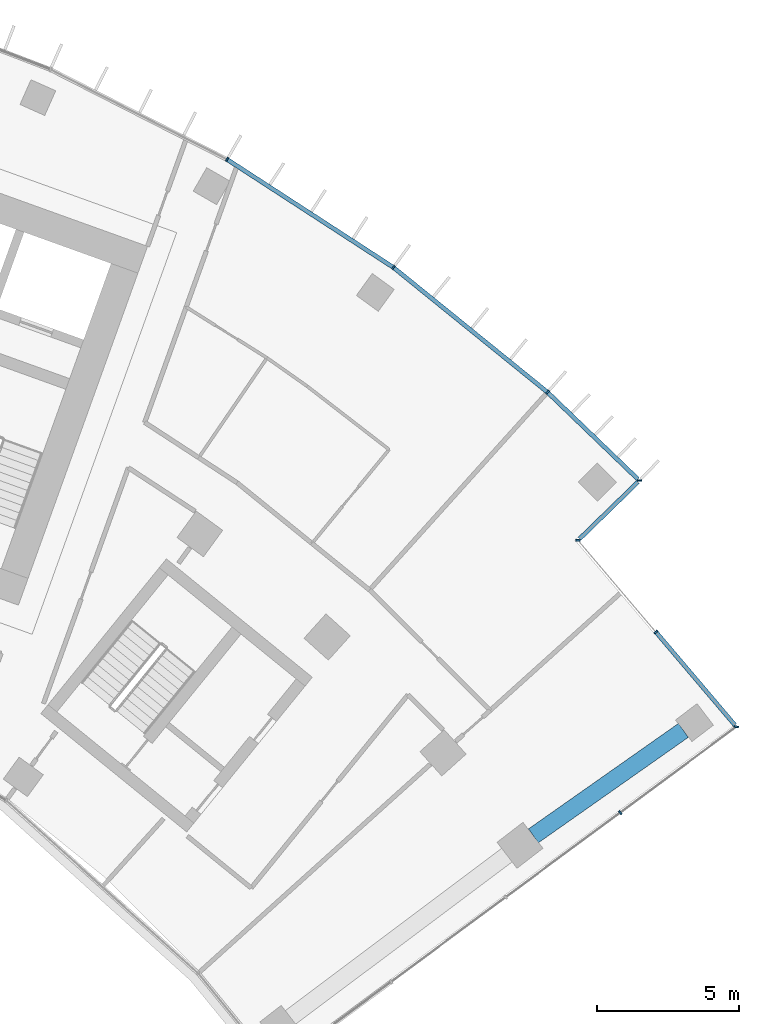
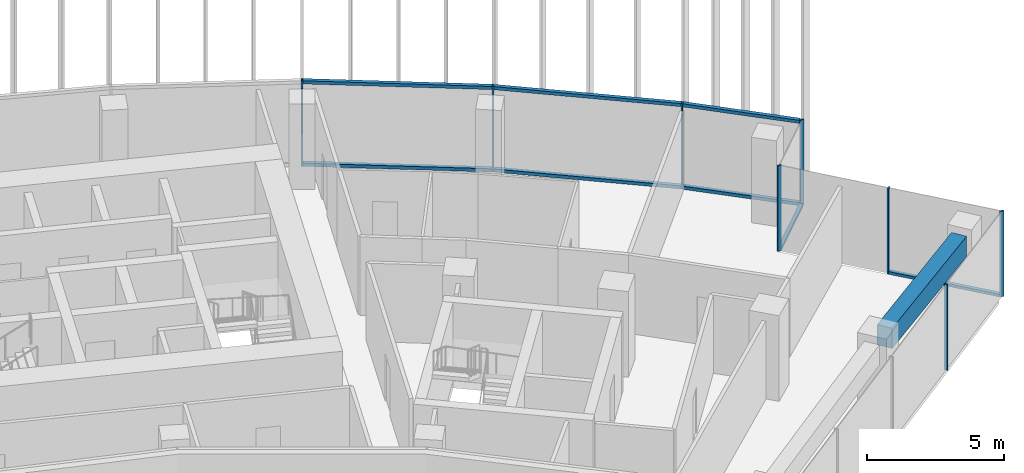
# One storey, part 9 of 19: 16 members, 1 beam, 4 elements without a shape of their own.
"""IFC4 building model written with IfcOpenShell, lengths in metres."""

import ifcopenshell
import ifcopenshell.guid

model = None  # the IFC model being written
_history = None  # IfcOwnerHistory: only IFC2X3 demands one
_inside = {}  # id of a spatial element -> (the spatial element, [elements in it])
_under = {}  # id of a project, library or spatial element -> (it, [spatial elements below it])
_declared = {}  # id of a project -> (the project, [libraries it declares])
_typed = {}  # id of a type object -> (the type object, [elements of that type])
_made_of = {}  # id of a material, layer set ... -> (it, [elements and type objects made of it])


def new_model(schema):
    """Start an empty IFC model of exactly this schema.

    Asked for "IFC4X3", IfcOpenShell would pick the latest addendum, in which some entities
    have other attributes; the version numbers below select the first issue.
    IFC2X3 requires an IfcOwnerHistory on every rooted entity: one is made here for all.
    """
    global model, _history
    if schema == "IFC4X3":
        model = ifcopenshell.file(schema_version=(4, 3, 0, 0))
    else:
        model = ifcopenshell.file(schema=schema)
    _inside.clear()
    _under.clear()
    _declared.clear()
    _typed.clear()
    _made_of.clear()
    _history = None
    if model.schema == "IFC2X3":
        org = make("IfcOrganization", Name="unknown")
        user = make(
            "IfcPersonAndOrganization",
            ThePerson=make("IfcPerson", FamilyName="unknown"),
            TheOrganization=org,
        )
        app = make(
            "IfcApplication",
            ApplicationDeveloper=org,
            Version="unknown",
            ApplicationFullName="unknown",
            ApplicationIdentifier="unknown",
        )
        _history = make(
            "IfcOwnerHistory",
            OwningUser=user,
            OwningApplication=app,
            ChangeAction="ADDED",
            CreationDate=0,
        )
    return model


def make(cls, **values):
    """One entity of the class cls with the attributes given. An attribute that is None is left unset."""
    return model.create_entity(
        cls, **{name: value for name, value in values.items() if value is not None}
    )


def rooted(cls, **values):
    """An entity with a GlobalId (a new one), such as an element, a storey or a relation."""
    return make(cls, GlobalId=ifcopenshell.guid.new(), OwnerHistory=_history, **values)


def si_unit(unit_type, name, prefix=None):
    """IfcSIUnit, for example si_unit("LENGTHUNIT", "METRE", prefix="MILLI")."""
    return make("IfcSIUnit", UnitType=unit_type, Prefix=prefix, Name=name)


def assignment(units):
    """IfcUnitAssignment: the units of a project."""
    return None if units is None else make("IfcUnitAssignment", Units=units)


def point(xyz):
    """IfcCartesianPoint."""
    return None if xyz is None else make("IfcCartesianPoint", Coordinates=xyz)


def direction(xyz):
    """IfcDirection."""
    return None if xyz is None else make("IfcDirection", DirectionRatios=xyz)


def frame(location, z_axis=None, x_axis=None):
    """IfcAxis2Placement3D, a coordinate frame: its origin and axes. An axis left out is left unset."""
    return make(
        "IfcAxis2Placement3D",
        Location=point(location),
        Axis=direction(z_axis),
        RefDirection=direction(x_axis),
    )


def frame_2d(location, x_axis=None):
    """IfcAxis2Placement2D, a coordinate frame in the plane: its origin and x axis."""
    return make(
        "IfcAxis2Placement2D", Location=point(location), RefDirection=direction(x_axis)
    )


def origin():
    """The frame at (0, 0, 0) with its axes left unset."""
    return frame((0.0, 0.0, 0.0))


def origin_2d():
    """The frame at (0, 0) in the plane with its x axis left unset."""
    return frame_2d((0.0, 0.0))


def place(relative_to, where):
    """IfcLocalPlacement: puts the frame where relative to a parent placement (None: the world)."""
    return make(
        "IfcLocalPlacement", PlacementRelTo=relative_to, RelativePlacement=where
    )


def context(
    kind, dimensions, precision=None, world=None, true_north=None, identifier=None
):
    """IfcGeometricRepresentationContext, for example the 3D "Model" context."""
    return make(
        "IfcGeometricRepresentationContext",
        ContextIdentifier=identifier,
        ContextType=kind,
        CoordinateSpaceDimension=dimensions,
        Precision=precision,
        WorldCoordinateSystem=world,
        TrueNorth=true_north,
    )


def subcontext(parent, identifier, kind, view, scale=None):
    """IfcGeometricRepresentationSubContext, for example "Body" below "Model"."""
    return make(
        "IfcGeometricRepresentationSubContext",
        ContextIdentifier=identifier,
        ContextType=kind,
        ParentContext=parent,
        TargetScale=scale,
        TargetView=view,
    )


def project(units=None, contexts=None):
    """IfcProject with its units and contexts."""
    return rooted(
        "IfcProject",
        Name="project",
        RepresentationContexts=contexts,
        UnitsInContext=assignment(units),
    )


def spatial(cls, under=None, at=None, **own):
    """A site, building, storey or space (cls), placed at a placement, below another one or the project."""
    s = rooted(cls, ObjectPlacement=at, **own)
    if under is not None:
        _under.setdefault(under.id(), (under, []))[1].append(s)
    return s


def profile(cls, at=None, kind="AREA", **sizes):
    """A parametric profile (cls). Its sizes go by their IFC names, for example OverallWidth=200.0."""
    return make(cls, ProfileType=kind, Position=at, **sizes)


def rectangle(**sizes):
    """IfcRectangleProfileDef."""
    return profile("IfcRectangleProfileDef", **sizes)


def extrude(swept, where, along, depth):
    """IfcExtrudedAreaSolid: the profile swept, set in the frame where, extruded along a direction by depth."""
    return make(
        "IfcExtrudedAreaSolid",
        SweptArea=swept,
        Position=where,
        ExtrudedDirection=direction(along),
        Depth=depth,
    )


def shape(context_of_items, identifier, shape_type, items):
    """IfcShapeRepresentation: the items that make up one representation, for example the "Body"."""
    return make(
        "IfcShapeRepresentation",
        ContextOfItems=context_of_items,
        RepresentationIdentifier=identifier,
        RepresentationType=shape_type,
        Items=items,
    )


def material(Name=None, Category=None):
    """IfcMaterial."""
    return make("IfcMaterial", Name=Name, Category=Category)


def layer(
    of_material, thickness, ventilated=None, Name=None, Category=None, Priority=None
):
    """IfcMaterialLayer: one layer of a wall or slab, of a material (None: an air gap)."""
    return make(
        "IfcMaterialLayer",
        Material=of_material,
        LayerThickness=thickness,
        IsVentilated=ventilated,
        Name=Name,
        Category=Category,
        Priority=Priority,
    )


def layer_set(layers, Name=None):
    """IfcMaterialLayerSet."""
    return make("IfcMaterialLayerSet", MaterialLayers=layers, LayerSetName=Name)


def material_profile(
    of_material, cross_section, Name=None, Category=None, Priority=None
):
    """IfcMaterialProfile: a cross section and its material."""
    return make(
        "IfcMaterialProfile",
        Name=Name,
        Material=of_material,
        Profile=cross_section,
        Priority=Priority,
        Category=Category,
    )


def profile_set(profiles, Name=None, composite=None):
    """IfcMaterialProfileSet."""
    return make(
        "IfcMaterialProfileSet",
        Name=Name,
        MaterialProfiles=profiles,
        CompositeProfile=composite,
    )


def made_of(thing, what):
    """Note that an element or type object is made of a material, layer set ...; save() writes the relation."""
    if what is not None:
        _made_of.setdefault(what.id(), (what, []))[1].append(thing)
    return thing


def type_object(cls, material=None, **own):
    """A type object (cls), such as IfcWallType, which elements share."""
    return made_of(rooted(cls, **own), material)


def element(
    cls,
    number,
    at=None,
    inside=None,
    cuts=None,
    type_object=None,
    material=None,
    context=None,
    identifier="Body",
    shape_type=None,
    held_by="IfcProductDefinitionShape",
    body=None,
    shapes=None,
    **own,
):
    """One element of the class cls, such as IfcWall. Its Tag is "e" and its number.

    at: its placement. inside: the storey or other place that contains it. cuts: it is an
    opening in that element (IfcRelVoidsElement). A single representation is given by context,
    identifier, shape_type and body (its items); several are given by shapes. held_by: the class
    of the entity that holds the representations. save() writes the other relations.
    """
    e = rooted(cls, Tag="e%d" % number, ObjectPlacement=at, **own)
    if body is not None:
        shapes = [shape(context, identifier, shape_type, body)]
    if shapes is not None:
        e.Representation = make(held_by, Representations=shapes)
    if inside is not None:
        _inside.setdefault(inside.id(), (inside, []))[1].append(e)
    if cuts is not None:
        rooted(
            "IfcRelVoidsElement", RelatingBuildingElement=cuts, RelatedOpeningElement=e
        )
    if type_object is not None:
        _typed.setdefault(type_object.id(), (type_object, []))[1].append(e)
    return made_of(e, material)


def aggregate(whole, parts):
    """IfcRelAggregates: a whole, such as a stair, and the parts it consists of."""
    return rooted("IfcRelAggregates", RelatingObject=whole, RelatedObjects=parts)


def save(model, path):
    """Write the relations noted so far, then the file.

    IfcRelAggregates (storeys below a building ...), IfcRelContainedInSpatialStructure (elements
    in a storey), IfcRelDefinesByType, IfcRelAssociatesMaterial and IfcRelDeclares: one each for
    every whole, place, type object, material and project.
    """
    for whole, parts in _under.values():
        aggregate(whole, parts)
    for where, things in _inside.values():
        rooted(
            "IfcRelContainedInSpatialStructure",
            RelatedElements=things,
            RelatingStructure=where,
        )
    for kind, things in _typed.values():
        rooted("IfcRelDefinesByType", RelatedObjects=things, RelatingType=kind)
    for what, things in _made_of.values():
        rooted("IfcRelAssociatesMaterial", RelatedObjects=things, RelatingMaterial=what)
    for by, libraries in _declared.values():
        rooted("IfcRelDeclares", RelatingContext=by, RelatedDefinitions=libraries)
    model.write(path)


model = new_model("IFC4")

# Units and contexts
model_context = context("Model", 3, precision=1e-05, world=origin(), true_north=direction((0.0, 1.0)))
body_context = subcontext(model_context, "Body", "Model", "MODEL_VIEW")
ifc_project = project(units=[si_unit("LENGTHUNIT", "METRE"), si_unit("AREAUNIT", "SQUARE_METRE"), si_unit("VOLUMEUNIT", "CUBIC_METRE"), si_unit("PLANEANGLEUNIT", "RADIAN"), si_unit("MASSUNIT", "GRAM", prefix="KILO")], contexts=[model_context])

# Site, building, storey
site_placement = place(None, origin())
site = spatial("IfcSite", under=ifc_project, at=site_placement, CompositionType="ELEMENT")
building_placement = place(site_placement, origin())
building = spatial("IfcBuilding", under=site, at=building_placement, Name="Stone Belt Terrace Tower", CompositionType="ELEMENT")
storey_placement = place(building_placement, frame((0.0, 0.0, 235.199951171875)))
storey = spatial("IfcBuildingStorey", under=building, at=storey_placement, Name="L57", CompositionType="ELEMENT", Elevation=235.199951171875)

# Curtain wall, members
ifc_material_1 = material(Name="Aluminium 6063-T6 anodised frame", Category="aluminium")
ifc_layer_1 = layer(ifc_material_1, 0.14990234375)
ifc_layer_set_1 = layer_set([ifc_layer_1], Name="CW-A unitised convex-face curtain wall")
curtain_wall_type_1 = type_object("IfcCurtainWallType", Name="CW-A unitised convex-face curtain wall", PredefinedType="NOTDEFINED", material=ifc_layer_set_1)
curtain_wall_1_placement = place(storey_placement, origin())
curtain_wall_1 = element("IfcCurtainWall", 1, at=curtain_wall_1_placement, inside=storey, type_object=curtain_wall_type_1, Name="CW-A convex face L57", PredefinedType="NOTDEFINED")
ifc_material_profile_1 = material_profile(ifc_material_1, rectangle(XDim=0.14990234375, YDim=0.06005859375, at=origin_2d()), Name="Aluminium 6063-T6 60x150")
ifc_profile_set_1 = profile_set([ifc_material_profile_1], Name="Aluminium 6063-T6 anodised frame")
member_type_1 = type_object("IfcMemberType", Name="CW-A mullion 60 x 150", PredefinedType="MULLION", material=ifc_profile_set_1)
member_1_placement = place(storey_placement, frame((47.775390625, 46.369140625, 0.0), z_axis=(0.0, 0.0, 1.0), x_axis=(-0.999996264646, -0.002733257028, 0.0)))
member_1 = element("IfcMember", 2, at=member_1_placement, type_object=member_type_1, Name="CW-A mullion 1", PredefinedType="MULLION", context=body_context, shape_type="SweptSolid", body=[
    extrude(rectangle(XDim=0.14990234375, YDim=0.06005859375, at=origin_2d()), origin(), (0.0, 0.0, 1.0), 3.800048828125),
])
member_2_placement = place(storey_placement, frame((44.546875, 49.475341796875, 0.0), z_axis=(0.0, 0.0, 1.0), x_axis=(-0.661937409618, -0.749559114245, 0.0)))
member_2 = element("IfcMember", 3, at=member_2_placement, type_object=member_type_1, Name="CW-A mullion 2", PredefinedType="MULLION", context=body_context, shape_type="SweptSolid", body=[
    extrude(rectangle(XDim=0.14990234375, YDim=0.06005859375, at=origin_2d()), origin(), (0.0, 0.0, 1.0), 3.800048828125),
])
member_3_placement = place(storey_placement, frame((39.1318359375, 53.8603515625, 0.0), z_axis=(0.0, 0.0, 1.0), x_axis=(-0.587785252292, -0.809016994375, 0.0)))
member_3 = element("IfcMember", 4, at=member_3_placement, type_object=member_type_1, Name="CW-A mullion 3", PredefinedType="MULLION", context=body_context, shape_type="SweptSolid", body=[
    extrude(rectangle(XDim=0.14990234375, YDim=0.06005859375, at=origin_2d()), origin(), (0.0, 0.0, 1.0), 3.800048828125),
])
member_4_placement = place(storey_placement, frame((33.28759765625, 57.65576171875, 0.0), z_axis=(0.0, 0.0, 1.0), x_axis=(-0.5, -0.866025403784, 0.0)))
member_4 = element("IfcMember", 5, at=member_4_placement, type_object=member_type_1, Name="CW-A mullion 4", PredefinedType="MULLION", context=body_context, shape_type="SweptSolid", body=[
    extrude(rectangle(XDim=0.14990234375, YDim=0.06005859375, at=origin_2d()), origin(), (0.0, 0.0, 1.0), 3.800048828125),
])
ifc_material_profile_2 = material_profile(ifc_material_1, rectangle(XDim=0.14990234375, YDim=0.139892578125, at=origin_2d()), Name="Aluminium 6063-T6 150x140")
ifc_profile_set_2 = profile_set([ifc_material_profile_2], Name="Aluminium 6063-T6 anodised frame")
member_type_2 = type_object("IfcMemberType", Name="CW-A transom 140 x 150", PredefinedType="USERDEFINED", material=ifc_profile_set_2)
member_5_placement = place(storey_placement, frame((47.721435546875, 46.4208984375, 0.070068359375), z_axis=(-0.720600183576, 0.693350831419, 0.0), x_axis=(-0.693350831419, -0.720600183576, 0.0)))
member_5 = element("IfcMember", 6, at=member_5_placement, type_object=member_type_2, Name="CW-A transom 1.1", ObjectType="TRANSOM", PredefinedType="USERDEFINED", context=body_context, shape_type="SweptSolid", body=[
    extrude(rectangle(XDim=0.14990234375, YDim=0.139892578125, at=origin_2d()), origin(), (0.0, 0.0, 1.0), 4.372314453125),
])
member_6_placement = place(storey_placement, frame((47.721435546875, 46.4208984375, 3.72998046875), z_axis=(-0.720600183576, 0.693350831419, 0.0), x_axis=(-0.693350831419, -0.720600183576, 0.0)))
member_6 = element("IfcMember", 7, at=member_6_placement, type_object=member_type_2, Name="CW-A transom 1.2", ObjectType="TRANSOM", PredefinedType="USERDEFINED", context=body_context, shape_type="SweptSolid", body=[
    extrude(rectangle(XDim=0.14990234375, YDim=0.139892578125, at=origin_2d()), origin(), (0.0, 0.0, 1.0), 4.372314453125),
])
member_7_placement = place(storey_placement, frame((44.52099609375, 49.496337890625, 0.070068359375), z_axis=(-0.777141048626, 0.629326457842, 0.0), x_axis=(-0.629326457842, -0.777141048626, 0.0)))
member_7 = element("IfcMember", 8, at=member_7_placement, type_object=member_type_2, Name="CW-A transom 2.1", ObjectType="TRANSOM", PredefinedType="USERDEFINED", context=body_context, shape_type="SweptSolid", body=[
    extrude(rectangle(XDim=0.14990234375, YDim=0.139892578125, at=origin_2d()), origin(), (0.0, 0.0, 1.0), 6.900634765625),
])
member_8_placement = place(storey_placement, frame((44.52099609375, 49.496337890625, 3.72998046875), z_axis=(-0.777141048626, 0.629326457842, 0.0), x_axis=(-0.629326457842, -0.777141048626, 0.0)))
member_8 = element("IfcMember", 9, at=member_8_placement, type_object=member_type_2, Name="CW-A transom 2.2", ObjectType="TRANSOM", PredefinedType="USERDEFINED", context=body_context, shape_type="SweptSolid", body=[
    extrude(rectangle(XDim=0.14990234375, YDim=0.139892578125, at=origin_2d()), origin(), (0.0, 0.0, 1.0), 6.900634765625),
])
member_9_placement = place(storey_placement, frame((39.103515625, 53.87890625, 0.070068359375), z_axis=(-0.83868440714, 0.544617723931, 0.0), x_axis=(-0.544617723931, -0.83868440714, 0.0)))
member_9 = element("IfcMember", 10, at=member_9_placement, type_object=member_type_2, Name="CW-A transom 3.1", ObjectType="TRANSOM", PredefinedType="USERDEFINED", context=body_context, shape_type="SweptSolid", body=[
    extrude(rectangle(XDim=0.14990234375, YDim=0.139892578125, at=origin_2d()), origin(), (0.0, 0.0, 1.0), 6.90087890625),
])
member_10_placement = place(storey_placement, frame((39.103515625, 53.87890625, 3.72998046875), z_axis=(-0.83868440714, 0.544617723931, 0.0), x_axis=(-0.544617723931, -0.83868440714, 0.0)))
member_10 = element("IfcMember", 11, at=member_10_placement, type_object=member_type_2, Name="CW-A transom 3.2", ObjectType="TRANSOM", PredefinedType="USERDEFINED", context=body_context, shape_type="SweptSolid", body=[
    extrude(rectangle(XDim=0.14990234375, YDim=0.139892578125, at=origin_2d()), origin(), (0.0, 0.0, 1.0), 6.90087890625),
])
aggregate(curtain_wall_1, [member_1, member_2, member_3, member_4, member_5, member_6, member_7, member_8, member_9, member_10])

# Curtain wall, member
ifc_layer_2 = layer(ifc_material_1, 0.14990234375)
ifc_layer_set_2 = layer_set([ifc_layer_2], Name="CW-C stick curtain wall, horn ends and notches")
curtain_wall_type_2 = type_object("IfcCurtainWallType", Name="CW-C stick curtain wall, horn ends and notches", PredefinedType="NOTDEFINED", material=ifc_layer_set_2)
curtain_wall_2_placement = place(storey_placement, origin())
curtain_wall_2 = element("IfcCurtainWall", 12, at=curtain_wall_2_placement, inside=storey, type_object=curtain_wall_type_2, Name="CW-C end face L57", PredefinedType="NOTDEFINED")
ifc_material_profile_3 = material_profile(ifc_material_1, rectangle(XDim=0.14990234375, YDim=0.06005859375, at=origin_2d()), Name="Aluminium 6063-T6 60x150")
ifc_profile_set_3 = profile_set([ifc_material_profile_3], Name="Aluminium 6063-T6 anodised frame")
member_type_3 = type_object("IfcMemberType", Name="CW-C mullion 60 x 150", PredefinedType="MULLION", material=ifc_profile_set_3)
member_11_placement = place(storey_placement, frame((47.097900390625, 34.699462890625, 0.0), z_axis=(0.0, 0.0, 1.0), x_axis=(-0.594184091865, 0.804329077539, 0.0)))
member_11 = element("IfcMember", 13, at=member_11_placement, type_object=member_type_3, Name="CW-C mullion 4", PredefinedType="MULLION", context=body_context, shape_type="SweptSolid", body=[
    extrude(rectangle(XDim=0.14990234375, YDim=0.06005859375, at=origin_2d()), origin(), (0.0, 0.0, 1.0), 3.800048828125),
])
aggregate(curtain_wall_2, [member_11])

# Curtain wall, members
curtain_wall_3_placement = place(storey_placement, origin())
curtain_wall_3 = element("IfcCurtainWall", 14, at=curtain_wall_3_placement, inside=storey, type_object=curtain_wall_type_2, Name="CW-C notch face L57", PredefinedType="NOTDEFINED")
member_12_placement = place(storey_placement, frame((51.18408203125, 37.718017578125, 0.0), z_axis=(0.0, 0.0, 1.0), x_axis=(-0.993358853918, 0.115057321987, 0.0)))
member_12 = element("IfcMember", 15, at=member_12_placement, type_object=member_type_3, Name="CW-C mullion 1", PredefinedType="MULLION", context=body_context, shape_type="SweptSolid", body=[
    extrude(rectangle(XDim=0.14990234375, YDim=0.06005859375, at=origin_2d()), origin(), (0.0, 0.0, 1.0), 3.800048828125),
])
member_13_placement = place(storey_placement, frame((48.35302734375, 41.052490234375, 0.0), z_axis=(0.0, 0.0, 1.0), x_axis=(-0.762310954743, -0.647210945735, 0.0)))
member_13 = element("IfcMember", 16, at=member_13_placement, type_object=member_type_3, Name="CW-C mullion 2", PredefinedType="MULLION", context=body_context, shape_type="SweptSolid", body=[
    extrude(rectangle(XDim=0.14990234375, YDim=0.06005859375, at=origin_2d()), origin(), (0.0, 0.0, 1.0), 3.800048828125),
])

# Curtain wall, member
curtain_wall_4_placement = place(storey_placement, origin())
curtain_wall_4 = element("IfcCurtainWall", 17, at=curtain_wall_4_placement, inside=storey, type_object=curtain_wall_type_2, Name="CW-C notch face L57", PredefinedType="NOTDEFINED")
member_14_placement = place(storey_placement, frame((45.61962890625, 44.27197265625, 0.0), z_axis=(0.0, 0.0, 1.0), x_axis=(-0.998865261612, 0.047625509398, 0.0)))
member_14 = element("IfcMember", 18, at=member_14_placement, type_object=member_type_3, Name="CW-C mullion 1", PredefinedType="MULLION", context=body_context, shape_type="SweptSolid", body=[
    extrude(rectangle(XDim=0.14990234375, YDim=0.06005859375, at=origin_2d()), origin(), (0.0, 0.0, 1.0), 3.800048828125),
])

# Member
ifc_material_profile_4 = material_profile(ifc_material_1, rectangle(XDim=0.14990234375, YDim=0.1201171875, at=origin_2d()), Name="Aluminium 6063-T6 150x120")
ifc_profile_set_4 = profile_set([ifc_material_profile_4], Name="Aluminium 6063-T6 anodised frame")
member_type_4 = type_object("IfcMemberType", Name="CW-C transom 120 x 150", PredefinedType="USERDEFINED", material=ifc_profile_set_4)
member_15_placement = place(storey_placement, frame((51.13525390625, 37.775390625, 0.06005859375), z_axis=(-0.647195078608, 0.762324425836, 0.0), x_axis=(-0.762324425836, -0.647195078608, 0.0)))
member_15 = element("IfcMember", 19, at=member_15_placement, type_object=member_type_4, Name="CW-C transom 1.1", ObjectType="TRANSOM", PredefinedType="USERDEFINED", context=body_context, shape_type="SweptSolid", body=[
    extrude(rectangle(XDim=0.14990234375, YDim=0.1201171875, at=origin_2d()), origin(), (0.0, 0.0, 1.0), 4.268798828125),
])

aggregate(curtain_wall_3, [member_12, member_13, member_15])

member_16_placement = place(storey_placement, frame((45.671875, 44.322998046875, 0.06005859375), z_axis=(0.716814728684, 0.697263683797, 0.0), x_axis=(-0.697263683797, 0.716814728684, 0.0)))
member_16 = element("IfcMember", 20, at=member_16_placement, type_object=member_type_4, Name="CW-C transom 1.1", ObjectType="TRANSOM", PredefinedType="USERDEFINED", context=body_context, shape_type="SweptSolid", body=[
    extrude(rectangle(XDim=0.14990234375, YDim=0.1201171875, at=origin_2d()), origin(), (0.0, 0.0, 1.0), 2.859619140625),
])

aggregate(curtain_wall_4, [member_14, member_16])

# Beam
ifc_material_2 = material(Name="Concrete B60", Category="concrete")
ifc_material_profile_5 = material_profile(ifc_material_2, rectangle(XDim=0.60009765625, YDim=0.89990234375, at=origin_2d()), Name="RC 600x900")
ifc_profile_set_5 = profile_set([ifc_material_profile_5], Name="Concrete B60")
beam_type = type_object("IfcBeamType", Name="Edge beam RC 600x900 B60", PredefinedType="SPANDREL", material=ifc_profile_set_5)
beam_placement = place(storey_placement, frame((44.049560546875, 33.885498046875, 3.030029296875), z_axis=(0.817996569297, 0.575223098126, 0.0), x_axis=(-0.575223098126, 0.817996569297, 0.0)))
element("IfcBeam", 21, at=beam_placement, inside=storey, type_object=beam_type, Name="Edge beam L57 B Q to R", PredefinedType="SPANDREL", context=body_context, shape_type="SweptSolid", body=[
    extrude(rectangle(XDim=0.60009765625, YDim=0.89990234375, at=origin_2d()), origin(), (0.0, 0.0, 1.0), 6.444091796875),
])

save(model, "model.ifc")
